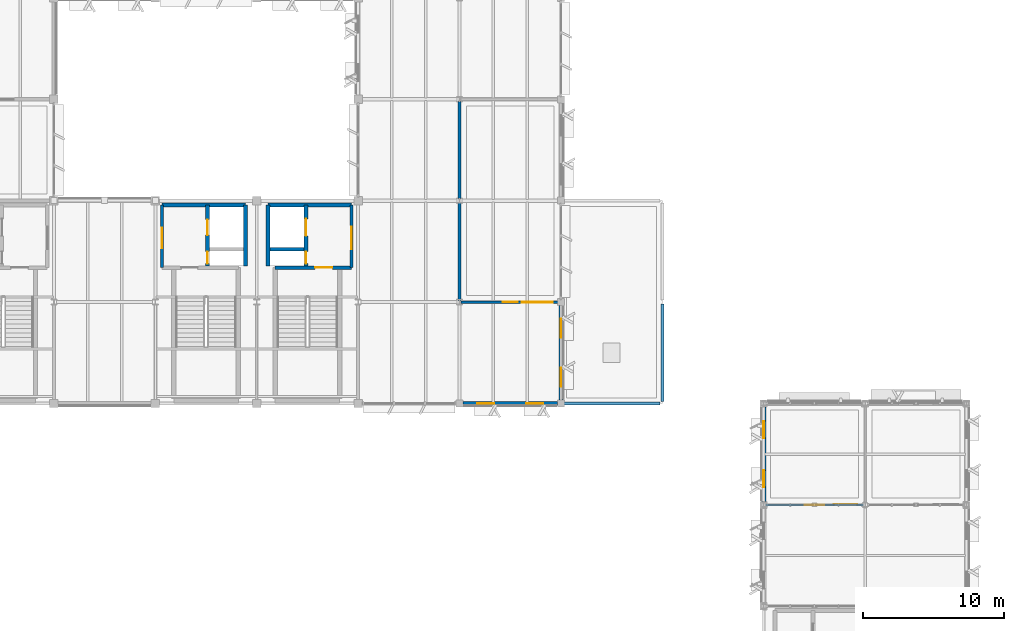
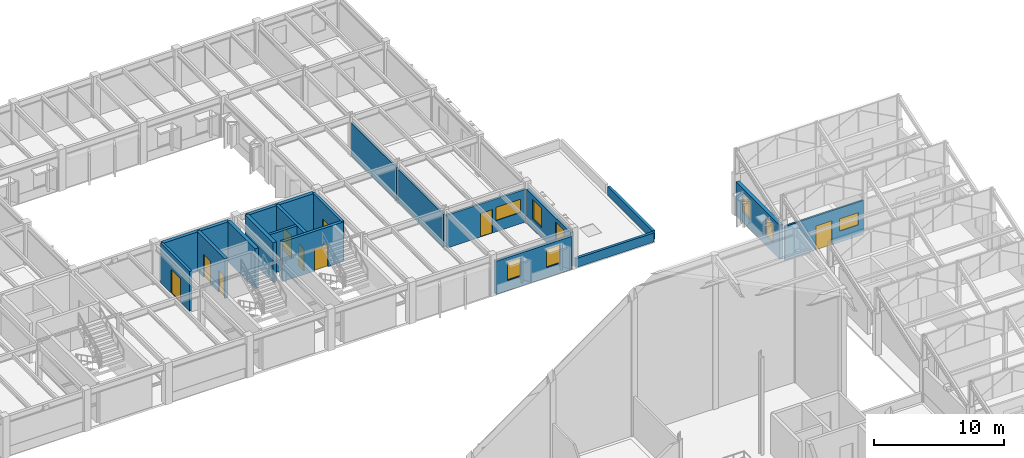
# One storey, part 39 of 82: 19 walls, 9 doors, 8 windows, 17 openings.
"""IFC4 building model written with IfcOpenShell, lengths in metres."""

from ifc_helpers import new_model, si_unit, direction, frame, frame_2d, origin, place, context, subcontext, project, spatial, rectangle, extrude, material, layer, layer_set, type_object, element, fill, save


model = new_model("IFC4")

# Units and contexts
model_context = context("Model", 3, precision=1e-05, world=origin(), true_north=direction((0.0, 1.0)))
body_context = subcontext(model_context, "Body", "Model", "MODEL_VIEW")
ifc_project = project(units=[si_unit("LENGTHUNIT", "METRE"), si_unit("AREAUNIT", "SQUARE_METRE"), si_unit("VOLUMEUNIT", "CUBIC_METRE"), si_unit("PLANEANGLEUNIT", "RADIAN"), si_unit("MASSUNIT", "GRAM", prefix="KILO")], contexts=[model_context])

# Site, building, storey
site_placement = place(None, origin())
site = spatial("IfcSite", under=ifc_project, at=site_placement, CompositionType="ELEMENT")
building_placement = place(site_placement, origin())
building = spatial("IfcBuilding", under=site, at=building_placement, Name="Sillqori Civic Hall", CompositionType="ELEMENT")
storey_placement = place(building_placement, frame((0.0, 0.0, 14.10009765625)))
storey = spatial("IfcBuildingStorey", under=building, at=storey_placement, Name="L04", CompositionType="ELEMENT", Elevation=14.10009765625)

# Wall, opening, door
ifc_material_1 = material(Name="Concrete C35/45 (H35)", Category="concrete")
ifc_layer_1 = layer(ifc_material_1, 0.219970703125)
ifc_layer_set_1 = layer_set([ifc_layer_1], Name="Concrete C35/45 (H35)")
wall_type_1 = type_object("IfcWallType", Name="CW-SHR-220", PredefinedType="SHEAR", material=ifc_layer_set_1)
wall_1_placement = place(storey_placement, frame((79.679931640625, 88.85009765625, 0.0), z_axis=(0.0, 0.0, 1.0), x_axis=(0.0, 1.0, 0.0)))
wall_1 = element("IfcWall", 1, at=wall_1_placement, inside=storey, type_object=wall_type_1, Name="L04 C7 firefighting lobby enclosure wall", PredefinedType="SHEAR", context=body_context, shape_type="SweptSolid", body=[
    extrude(rectangle(XDim=4.449951171875, YDim=0.219970703125, at=frame_2d((2.22509765625, 0.0))), origin(), (0.0, 0.0, 1.0), 3.719970703125),
])
opening_1_placement = place(wall_1_placement, frame((1.375, 0.0, 0.0)))
opening_1 = element("IfcOpeningElement", 2, at=opening_1_placement, cuts=wall_1, Name="Opening FD-03", PredefinedType="OPENING", context=body_context, shape_type="SweptSolid", body=[
    extrude(rectangle(XDim=1.449951171875, YDim=2.199951171875, at=frame_2d((0.72509765625, 1.10009765625))), frame((0.0, 0.119873046875, 0.0), z_axis=(0.0, -1.0, 0.0), x_axis=(1.0, 0.0, 0.0)), (0.0, 0.0, 1.0), 0.239990234375),
])
ifc_material_2 = material(Name="Double-Leaf Smoke-Seal Lobby Door", Category="steel")
door_type_1 = type_object("IfcDoorType", Name="FDR-LOB-145X220", OperationType="NOTDEFINED", PredefinedType="DOOR", material=ifc_material_2)
door_1_placement = place(opening_1_placement, origin())
door_1 = element("IfcDoor", 3, at=door_1_placement, inside=storey, type_object=door_type_1, Name="L04 C7 firefighting lobby exit door", OperationType="DOUBLE_DOOR_SINGLE_SWING", OverallHeight=2.199951171875, OverallWidth=1.449951171875, PredefinedType="DOOR", context=body_context, shape_type="SweptSolid", body=[
    extrude(rectangle(XDim=1.449951171875, YDim=2.199951171875, at=frame_2d((0.72509765625, 1.10009765625))), frame((0.0, 0.02490234375, 0.0), z_axis=(0.0, -1.0, 0.0), x_axis=(1.0, 0.0, 0.0)), (0.0, 0.0, 1.0), 0.050048828125),
])
fill(opening_1, door_1)

# Wall
wall_2_placement = place(storey_placement, frame((87.35009765625, 90.14990234375, 0.0), z_axis=(0.0, 0.0, 1.0), x_axis=(1.0, 0.0, 0.0)))
element("IfcWall", 4, at=wall_2_placement, inside=storey, type_object=wall_type_1, Name="L04 C8 Lift-riser divider wall", PredefinedType="SHEAR", context=body_context, shape_type="SweptSolid", body=[
    extrude(rectangle(XDim=2.39990234375, YDim=0.219970703125, at=frame_2d((1.199951171875, 0.0))), origin(), (0.0, 0.0, 1.0), 3.719970703125),
])

# Wall, opening, door
wall_3_placement = place(storey_placement, frame((93.1201171875, 93.300048828125, 0.0), z_axis=(0.0, 0.0, 1.0), x_axis=(0.0, -1.0, 0.0)))
wall_3 = element("IfcWall", 5, at=wall_3_placement, inside=storey, type_object=wall_type_1, Name="L04 C8 firefighting lobby enclosure wall", PredefinedType="SHEAR", context=body_context, shape_type="SweptSolid", body=[
    extrude(rectangle(XDim=4.449951171875, YDim=0.219970703125, at=frame_2d((2.22509765625, 0.0))), origin(), (0.0, 0.0, 1.0), 3.719970703125),
])
opening_2_placement = place(wall_3_placement, frame((1.550048828125, 0.0, 0.0)))
opening_2 = element("IfcOpeningElement", 6, at=opening_2_placement, cuts=wall_3, Name="Opening FD-04", PredefinedType="OPENING", context=body_context, shape_type="SweptSolid", body=[
    extrude(rectangle(XDim=1.60009765625, YDim=2.199951171875, at=frame_2d((0.800048828125, 1.10009765625))), frame((0.0, 0.119873046875, 0.0), z_axis=(0.0, -1.0, 0.0), x_axis=(1.0, 0.0, 0.0)), (0.0, 0.0, 1.0), 0.239990234375),
])
ifc_material_3 = material(Name="Double-Leaf Firefighting Lobby Door", Category="steel")
door_type_2 = type_object("IfcDoorType", Name="FDR-LOB-160X220", OperationType="NOTDEFINED", PredefinedType="DOOR", material=ifc_material_3)
door_2_placement = place(opening_2_placement, origin())
door_2 = element("IfcDoor", 7, at=door_2_placement, inside=storey, type_object=door_type_2, Name="L04 C8 firefighting lobby exit door", OperationType="DOUBLE_DOOR_SINGLE_SWING", OverallHeight=2.199951171875, OverallWidth=1.60009765625, PredefinedType="DOOR", context=body_context, shape_type="SweptSolid", body=[
    extrude(rectangle(XDim=1.60009765625, YDim=2.199951171875, at=frame_2d((0.800048828125, 1.10009765625))), frame((0.0, 0.02490234375, 0.0), z_axis=(0.0, -1.0, 0.0), x_axis=(1.0, 0.0, 0.0)), (0.0, 0.0, 1.0), 0.050048828125),
])
fill(opening_2, door_2)

# Wall, openings, doors
ifc_layer_2 = layer(ifc_material_1, 0.260009765625)
ifc_layer_set_2 = layer_set([ifc_layer_2], Name="Concrete C35/45 (H35)")
wall_type_2 = type_object("IfcWallType", Name="CW-SHR-260", PredefinedType="SHEAR", material=ifc_layer_set_2)
wall_4_placement = place(storey_placement, frame((82.89990234375, 88.97998046875, 0.0), z_axis=(0.0, 0.0, 1.0), x_axis=(0.0, 1.0, 0.0)))
wall_4 = element("IfcWall", 8, at=wall_4_placement, inside=storey, type_object=wall_type_2, Name="L04 C7 Lift landing & riser front wall", PredefinedType="SHEAR", context=body_context, shape_type="SweptSolid", body=[
    extrude(rectangle(XDim=4.320068359375, YDim=0.260009765625, at=frame_2d((2.16015625, 0.0))), origin(), (0.0, 0.0, 1.0), 3.719970703125),
])
opening_3_placement = place(wall_4_placement, frame((2.169921875, 0.0, 0.0)))
opening_3 = element("IfcOpeningElement", 9, at=opening_3_placement, cuts=wall_4, Name="Opening LD-01", PredefinedType="OPENING", context=body_context, shape_type="SweptSolid", body=[
    extrude(rectangle(XDim=1.10009765625, YDim=2.14990234375, at=frame_2d((0.550048828125, 1.074951171875))), frame((0.0, 0.139892578125, 0.0), z_axis=(0.0, -1.0, 0.0), x_axis=(1.0, 0.0, 0.0)), (0.0, 0.0, 1.0), 0.280029296875),
])
opening_4_placement = place(wall_4_placement, frame((0.14501953125, 0.0, 0.0)))
opening_4 = element("IfcOpeningElement", 10, at=opening_4_placement, cuts=wall_4, Name="Opening FD-05", PredefinedType="OPENING", context=body_context, shape_type="SweptSolid", body=[
    extrude(rectangle(XDim=0.85009765625, YDim=2.050048828125, at=frame_2d((0.425048828125, 1.02490234375))), frame((0.0, 0.139892578125, 0.0), z_axis=(0.0, -1.0, 0.0), x_axis=(1.0, 0.0, 0.0)), (0.0, 0.0, 1.0), 0.280029296875),
])
ifc_material_4 = material(Name="Steel Riser Access Fire Door", Category="steel")
door_type_3 = type_object("IfcDoorType", Name="FDR-RSR-085X205", OperationType="NOTDEFINED", PredefinedType="DOOR", material=ifc_material_4)
door_3_placement = place(opening_4_placement, origin())
door_3 = element("IfcDoor", 11, at=door_3_placement, inside=storey, type_object=door_type_3, Name="L04 MEP riser C7 fire access door", OperationType="SINGLE_SWING_LEFT", OverallHeight=2.050048828125, OverallWidth=0.85009765625, PredefinedType="DOOR", context=body_context, shape_type="SweptSolid", body=[
    extrude(rectangle(XDim=0.85009765625, YDim=2.050048828125, at=frame_2d((0.425048828125, 1.02490234375))), frame((0.0, 0.02490234375, 0.0), z_axis=(0.0, -1.0, 0.0), x_axis=(1.0, 0.0, 0.0)), (0.0, 0.0, 1.0), 0.050048828125),
])
fill(opening_4, door_3)
ifc_material_5 = material(Name="Stainless Steel Lift Landing Door", Category="steel")
door_type_4 = type_object("IfcDoorType", Name="LDR-PASS-110X215", OperationType="NOTDEFINED", PredefinedType="DOOR", material=ifc_material_5)
door_4_placement = place(opening_3_placement, origin())
door_4 = element("IfcDoor", 12, at=door_4_placement, inside=storey, type_object=door_type_4, Name="L04 lift LF-04 sliding landing door", OperationType="DOUBLE_DOOR_SLIDING", OverallHeight=2.14990234375, OverallWidth=1.10009765625, PredefinedType="DOOR", context=body_context, shape_type="SweptSolid", body=[
    extrude(rectangle(XDim=1.10009765625, YDim=2.14990234375, at=frame_2d((0.550048828125, 1.074951171875))), frame((0.0, 0.02490234375, 0.0), z_axis=(0.0, -1.0, 0.0), x_axis=(1.0, 0.0, 0.0)), (0.0, 0.0, 1.0), 0.050048828125),
])
fill(opening_3, door_4)

# Wall, opening, door
wall_5_placement = place(storey_placement, frame((87.7099609375, 88.85009765625, 0.0), z_axis=(0.0, 0.0, 1.0), x_axis=(1.0, 0.0, 0.0)))
wall_5 = element("IfcWall", 13, at=wall_5_placement, inside=storey, type_object=wall_type_2, Name="L04 C8 Stair-lobby fire wall", PredefinedType="SHEAR", context=body_context, shape_type="SweptSolid", body=[
    extrude(rectangle(XDim=5.41015625, YDim=0.260009765625, at=frame_2d((2.705078125, 0.0))), origin(), (0.0, 0.0, 1.0), 3.719970703125),
])
opening_5_placement = place(wall_5_placement, frame((2.840087890625, 0.0, 0.0)))
opening_5 = element("IfcOpeningElement", 14, at=opening_5_placement, cuts=wall_5, Name="Opening FD-02", PredefinedType="OPENING", context=body_context, shape_type="SweptSolid", body=[
    extrude(rectangle(XDim=1.219970703125, YDim=2.14990234375, at=frame_2d((0.60986328125, 1.074951171875))), frame((0.0, 0.139892578125, 0.0), z_axis=(0.0, -1.0, 0.0), x_axis=(1.0, 0.0, 0.0)), (0.0, 0.0, 1.0), 0.280029296875),
])
ifc_material_6 = material(Name="Galvanized Steel Fire Door FD120S", Category="steel")
door_type_5 = type_object("IfcDoorType", Name="FDR-STR-122X215", OperationType="NOTDEFINED", PredefinedType="DOOR", material=ifc_material_6)
door_5_placement = place(opening_5_placement, origin())
door_5 = element("IfcDoor", 15, at=door_5_placement, inside=storey, type_object=door_type_5, Name="L04 stair ST-08 fire door", OperationType="SINGLE_SWING_RIGHT", OverallHeight=2.14990234375, OverallWidth=1.219970703125, PredefinedType="DOOR", context=body_context, shape_type="SweptSolid", body=[
    extrude(rectangle(XDim=1.219970703125, YDim=2.14990234375, at=frame_2d((0.60986328125, 1.074951171875))), frame((0.0, 0.02490234375, 0.0), z_axis=(0.0, -1.0, 0.0), x_axis=(1.0, 0.0, 0.0)), (0.0, 0.0, 1.0), 0.050048828125),
])
fill(opening_5, door_5)

# Wall, openings, doors
wall_6_placement = place(storey_placement, frame((89.89990234375, 93.300048828125, 0.0), z_axis=(0.0, 0.0, 1.0), x_axis=(0.0, -1.0, 0.0)))
wall_6 = element("IfcWall", 16, at=wall_6_placement, inside=storey, type_object=wall_type_2, Name="L04 C8 Lift landing & riser front wall", PredefinedType="SHEAR", context=body_context, shape_type="SweptSolid", body=[
    extrude(rectangle(XDim=4.320068359375, YDim=0.260009765625, at=frame_2d((2.16015625, 0.0))), origin(), (0.0, 0.0, 1.0), 3.719970703125),
])
opening_6_placement = place(wall_6_placement, frame((1.0, 0.0, 0.0)))
opening_6 = element("IfcOpeningElement", 17, at=opening_6_placement, cuts=wall_6, Name="Opening LD-02", PredefinedType="OPENING", context=body_context, shape_type="SweptSolid", body=[
    extrude(rectangle(XDim=1.199951171875, YDim=2.14990234375, at=frame_2d((0.60009765625, 1.074951171875))), frame((0.0, 0.139892578125, 0.0), z_axis=(0.0, -1.0, 0.0), x_axis=(1.0, 0.0, 0.0)), (0.0, 0.0, 1.0), 0.280029296875),
])
opening_7_placement = place(wall_6_placement, frame((3.324951171875, 0.0, 0.0)))
opening_7 = element("IfcOpeningElement", 18, at=opening_7_placement, cuts=wall_6, Name="Opening FD-05", PredefinedType="OPENING", context=body_context, shape_type="SweptSolid", body=[
    extrude(rectangle(XDim=0.85009765625, YDim=2.050048828125, at=frame_2d((0.425048828125, 1.02490234375))), frame((0.0, 0.139892578125, 0.0), z_axis=(0.0, -1.0, 0.0), x_axis=(1.0, 0.0, 0.0)), (0.0, 0.0, 1.0), 0.280029296875),
])
door_6_placement = place(opening_7_placement, origin())
door_6 = element("IfcDoor", 19, at=door_6_placement, inside=storey, type_object=door_type_3, Name="L04 MEP riser C8 fire access door", OperationType="SINGLE_SWING_LEFT", OverallHeight=2.050048828125, OverallWidth=0.85009765625, PredefinedType="DOOR", context=body_context, shape_type="SweptSolid", body=[
    extrude(rectangle(XDim=0.85009765625, YDim=2.050048828125, at=frame_2d((0.425048828125, 1.02490234375))), frame((0.0, 0.02490234375, 0.0), z_axis=(0.0, -1.0, 0.0), x_axis=(1.0, 0.0, 0.0)), (0.0, 0.0, 1.0), 0.050048828125),
])
fill(opening_7, door_6)
ifc_material_7 = material(Name="Firefighting Lift Landing Door", Category="steel")
door_type_6 = type_object("IfcDoorType", Name="LDR-FIRE-120X215", OperationType="NOTDEFINED", PredefinedType="DOOR", material=ifc_material_7)
door_7_placement = place(opening_6_placement, origin())
door_7 = element("IfcDoor", 20, at=door_7_placement, inside=storey, type_object=door_type_6, Name="L04 lift LF-02 sliding landing door", OperationType="DOUBLE_DOOR_SLIDING", OverallHeight=2.14990234375, OverallWidth=1.199951171875, PredefinedType="DOOR", context=body_context, shape_type="SweptSolid", body=[
    extrude(rectangle(XDim=1.199951171875, YDim=2.14990234375, at=frame_2d((0.60009765625, 1.074951171875))), frame((0.0, 0.02490234375, 0.0), z_axis=(0.0, -1.0, 0.0), x_axis=(1.0, 0.0, 0.0)), (0.0, 0.0, 1.0), 0.050048828125),
])
fill(opening_6, door_7)

# Walls
ifc_layer_3 = layer(ifc_material_1, 0.300048828125)
ifc_layer_set_3 = layer_set([ifc_layer_3], Name="Concrete C35/45 (H35)")
wall_type_3 = type_object("IfcWallType", Name="CW-SHR-300", PredefinedType="SHEAR", material=ifc_layer_set_3)
wall_7_placement = place(storey_placement, frame((85.60009765625, 88.97998046875, 0.0), z_axis=(0.0, 0.0, 1.0), x_axis=(0.0, 1.0, 0.0)))
element("IfcWall", 21, at=wall_7_placement, inside=storey, type_object=wall_type_3, Name="L04 C7 Lift shaft east shear wall", PredefinedType="SHEAR", context=body_context, shape_type="SweptSolid", body=[
    extrude(rectangle(XDim=4.320068359375, YDim=0.300048828125, at=frame_2d((2.16015625, 0.0))), origin(), (0.0, 0.0, 1.0), 3.719970703125),
])
wall_8_placement = place(storey_placement, frame((79.679931640625, 93.300048828125, 0.0), z_axis=(0.0, 0.0, 1.0), x_axis=(1.0, 0.0, 0.0)))
element("IfcWall", 22, at=wall_8_placement, inside=storey, type_object=wall_type_3, Name="L04 C7 Core north shear wall", PredefinedType="SHEAR", context=body_context, shape_type="SweptSolid", body=[
    extrude(rectangle(XDim=5.920166015625, YDim=0.300048828125, at=frame_2d((2.9599609375, 0.0))), origin(), (0.0, 0.0, 1.0), 3.719970703125),
])
wall_9_placement = place(storey_placement, frame((87.199951171875, 88.97998046875, 0.0), z_axis=(0.0, 0.0, 1.0), x_axis=(0.0, 1.0, 0.0)))
element("IfcWall", 23, at=wall_9_placement, inside=storey, type_object=wall_type_3, Name="L04 C8 Lift shaft west shear wall", PredefinedType="SHEAR", context=body_context, shape_type="SweptSolid", body=[
    extrude(rectangle(XDim=4.320068359375, YDim=0.300048828125, at=frame_2d((2.16015625, 0.0))), origin(), (0.0, 0.0, 1.0), 3.719970703125),
])
wall_10_placement = place(storey_placement, frame((87.199951171875, 93.300048828125, 0.0), z_axis=(0.0, 0.0, 1.0), x_axis=(1.0, 0.0, 0.0)))
element("IfcWall", 24, at=wall_10_placement, inside=storey, type_object=wall_type_3, Name="L04 C8 Core north shear wall", PredefinedType="SHEAR", context=body_context, shape_type="SweptSolid", body=[
    extrude(rectangle(XDim=5.920166015625, YDim=0.300048828125, at=frame_2d((2.9599609375, 0.0))), origin(), (0.0, 0.0, 1.0), 3.719970703125),
])

# Wall, openings, windows
ifc_material_8 = material(Name="Precast concrete C40/50 (H40)", Category="concrete")
ifc_layer_4 = layer(ifc_material_8, 0.280029296875)
ifc_layer_set_4 = layer_set([ifc_layer_4], Name="Precast concrete C40/50 (H40)")
wall_type_4 = type_object("IfcWallType", Name="EW-LIME-280", PredefinedType="SOLIDWALL", material=ifc_layer_set_4)
wall_11_placement = place(storey_placement, frame((107.75, 79.199951171875, 0.0), z_axis=(0.0, 0.0, 1.0), x_axis=(-1.0, 0.0, 0.0)))
wall_11 = element("IfcWall", 25, at=wall_11_placement, inside=storey, type_object=wall_type_4, Name="L04 V4 exterior wall L04-14-11-S", PredefinedType="SOLIDWALL", context=body_context, shape_type="SweptSolid", body=[
    extrude(rectangle(XDim=6.699951171875, YDim=0.280029296875, at=frame_2d((3.35009765625, 0.0))), origin(), (0.0, 0.0, 1.0), 3.097900390625),
])
opening_8_placement = place(wall_11_placement, frame((1.008056640625, 0.0, 0.949951171875)))
opening_8 = element("IfcOpeningElement", 26, at=opening_8_placement, cuts=wall_11, Name="Opening W-22", PredefinedType="OPENING", context=body_context, shape_type="SweptSolid", body=[
    extrude(rectangle(XDim=1.199951171875, YDim=1.699951171875, at=frame_2d((0.60009765625, 0.85009765625))), frame((0.0, 0.14990234375, 0.0), z_axis=(0.0, -1.0, 0.0), x_axis=(1.0, 0.0, 0.0)), (0.0, 0.0, 1.0), 0.300048828125),
])
opening_9_placement = place(wall_11_placement, frame((4.491943359375, 0.0, 0.949951171875)))
opening_9 = element("IfcOpeningElement", 27, at=opening_9_placement, cuts=wall_11, Name="Opening W-22", PredefinedType="OPENING", context=body_context, shape_type="SweptSolid", body=[
    extrude(rectangle(XDim=1.199951171875, YDim=1.699951171875, at=frame_2d((0.60009765625, 0.85009765625))), frame((0.0, 0.14990234375, 0.0), z_axis=(0.0, -1.0, 0.0), x_axis=(1.0, 0.0, 0.0)), (0.0, 0.0, 1.0), 0.300048828125),
])
ifc_material_9 = material(Name="Thermally Broken Aluminium Low-E Window", Category="aluminium")
window_type_1 = type_object("IfcWindowType", Name="WIN-V5-120X170", PartitioningType="SINGLE_PANEL", PredefinedType="WINDOW", material=ifc_material_9)
window_1_placement = place(opening_8_placement, origin())
window_1 = element("IfcWindow", 28, at=window_1_placement, inside=storey, type_object=window_type_1, Name="L04 V4 window L04-14-11-S.1", OverallHeight=1.699951171875, OverallWidth=1.199951171875, PartitioningType="SINGLE_PANEL", PredefinedType="WINDOW", context=body_context, shape_type="SweptSolid", body=[
    extrude(rectangle(XDim=1.199951171875, YDim=1.699951171875, at=frame_2d((0.60009765625, 0.85009765625))), frame((0.0, 0.030029296875, 0.0), z_axis=(0.0, -1.0, 0.0), x_axis=(1.0, 0.0, 0.0)), (0.0, 0.0, 1.0), 0.06005859375),
])
fill(opening_8, window_1)
window_2_placement = place(opening_9_placement, origin())
window_2 = element("IfcWindow", 29, at=window_2_placement, inside=storey, type_object=window_type_1, Name="L04 V4 window L04-14-11-S.2", OverallHeight=1.699951171875, OverallWidth=1.199951171875, PartitioningType="SINGLE_PANEL", PredefinedType="WINDOW", context=body_context, shape_type="SweptSolid", body=[
    extrude(rectangle(XDim=1.199951171875, YDim=1.699951171875, at=frame_2d((0.60009765625, 0.85009765625))), frame((0.0, 0.030029296875, 0.0), z_axis=(0.0, -1.0, 0.0), x_axis=(1.0, 0.0, 0.0)), (0.0, 0.0, 1.0), 0.06005859375),
])
fill(opening_9, window_2)

wall_12_placement = place(storey_placement, frame((108.0, 86.14990234375, 0.0), z_axis=(0.0, 0.0, 1.0), x_axis=(0.0, -1.0, 0.0)))
wall_12 = element("IfcWall", 30, at=wall_12_placement, inside=storey, type_object=wall_type_4, Name="L04 V4 exterior wall L04-14-11-E", PredefinedType="SOLIDWALL", context=body_context, shape_type="SweptSolid", body=[
    extrude(rectangle(XDim=6.699951171875, YDim=0.280029296875, at=frame_2d((3.35009765625, 0.0))), origin(), (0.0, 0.0, 1.0), 3.171875),
])
opening_10_placement = place(wall_12_placement, frame((0.93310546875, 0.0, 0.949951171875)))
opening_10 = element("IfcOpeningElement", 31, at=opening_10_placement, cuts=wall_12, Name="Opening W-42", PredefinedType="OPENING", context=body_context, shape_type="SweptSolid", body=[
    extrude(rectangle(XDim=1.35009765625, YDim=1.85009765625, at=frame_2d((0.675048828125, 0.925048828125))), frame((0.0, 0.14990234375, 0.0), z_axis=(0.0, -1.0, 0.0), x_axis=(1.0, 0.0, 0.0)), (0.0, 0.0, 1.0), 0.300048828125),
])
opening_11_placement = place(wall_12_placement, frame((4.4169921875, 0.0, 0.949951171875)))
opening_11 = element("IfcOpeningElement", 32, at=opening_11_placement, cuts=wall_12, Name="Opening W-42", PredefinedType="OPENING", context=body_context, shape_type="SweptSolid", body=[
    extrude(rectangle(XDim=1.35009765625, YDim=1.85009765625, at=frame_2d((0.675048828125, 0.925048828125))), frame((0.0, 0.14990234375, 0.0), z_axis=(0.0, -1.0, 0.0), x_axis=(1.0, 0.0, 0.0)), (0.0, 0.0, 1.0), 0.300048828125),
])
window_type_2 = type_object("IfcWindowType", Name="WIN-GD-135X185", PartitioningType="SINGLE_PANEL", PredefinedType="WINDOW", material=ifc_material_9)
window_3_placement = place(opening_10_placement, origin())
window_3 = element("IfcWindow", 33, at=window_3_placement, inside=storey, type_object=window_type_2, Name="L04 V4 window L04-14-11-E.1", OverallHeight=1.85009765625, OverallWidth=1.35009765625, PartitioningType="SINGLE_PANEL", PredefinedType="WINDOW", context=body_context, shape_type="SweptSolid", body=[
    extrude(rectangle(XDim=1.35009765625, YDim=1.85009765625, at=frame_2d((0.675048828125, 0.925048828125))), frame((0.0, 0.030029296875, 0.0), z_axis=(0.0, -1.0, 0.0), x_axis=(1.0, 0.0, 0.0)), (0.0, 0.0, 1.0), 0.06005859375),
])
fill(opening_10, window_3)
window_4_placement = place(opening_11_placement, origin())
window_4 = element("IfcWindow", 34, at=window_4_placement, inside=storey, type_object=window_type_2, Name="L04 V4 window L04-14-11-E.2", OverallHeight=1.85009765625, OverallWidth=1.35009765625, PartitioningType="SINGLE_PANEL", PredefinedType="WINDOW", context=body_context, shape_type="SweptSolid", body=[
    extrude(rectangle(XDim=1.35009765625, YDim=1.85009765625, at=frame_2d((0.675048828125, 0.925048828125))), frame((0.0, 0.030029296875, 0.0), z_axis=(0.0, -1.0, 0.0), x_axis=(1.0, 0.0, 0.0)), (0.0, 0.0, 1.0), 0.06005859375),
])
fill(opening_11, window_4)

ifc_layer_5 = layer(ifc_material_8, 0.300048828125)
ifc_layer_set_5 = layer_set([ifc_layer_5], Name="Precast concrete C40/50 (H40)")
wall_type_5 = type_object("IfcWallType", Name="EW-LIME-300", PredefinedType="SOLIDWALL", material=ifc_layer_set_5)
wall_13_placement = place(storey_placement, frame((122.39990234375, 72.25, 0.0), z_axis=(0.0, 0.0, 1.0), x_axis=(0.0, 1.0, 0.0)))
wall_13 = element("IfcWall", 35, at=wall_13_placement, inside=storey, type_object=wall_type_5, Name="L04 V3 exterior wall L04-17-10-W", PredefinedType="SOLIDWALL", context=body_context, shape_type="SweptSolid", body=[
    extrude(rectangle(XDim=6.699951171875, YDim=0.300048828125, at=frame_2d((3.35009765625, 0.0))), origin(), (0.0, 0.0, 1.0), 3.199951171875),
])
opening_12_placement = place(wall_13_placement, frame((1.008056640625, 0.0, 0.949951171875)))
opening_12 = element("IfcOpeningElement", 36, at=opening_12_placement, cuts=wall_13, Name="Opening W-22", PredefinedType="OPENING", context=body_context, shape_type="SweptSolid", body=[
    extrude(rectangle(XDim=1.199951171875, YDim=1.699951171875, at=frame_2d((0.60009765625, 0.85009765625))), frame((0.0, 0.159912109375, 0.0), z_axis=(0.0, -1.0, 0.0), x_axis=(1.0, 0.0, 0.0)), (0.0, 0.0, 1.0), 0.320068359375),
])
opening_13_placement = place(wall_13_placement, frame((4.491943359375, 0.0, 0.949951171875)))
opening_13 = element("IfcOpeningElement", 37, at=opening_13_placement, cuts=wall_13, Name="Opening W-22", PredefinedType="OPENING", context=body_context, shape_type="SweptSolid", body=[
    extrude(rectangle(XDim=1.199951171875, YDim=1.699951171875, at=frame_2d((0.60009765625, 0.85009765625))), frame((0.0, 0.159912109375, 0.0), z_axis=(0.0, -1.0, 0.0), x_axis=(1.0, 0.0, 0.0)), (0.0, 0.0, 1.0), 0.320068359375),
])
window_5_placement = place(opening_12_placement, origin())
window_5 = element("IfcWindow", 38, at=window_5_placement, inside=storey, type_object=window_type_1, Name="L04 V3 window L04-17-10-W.1", OverallHeight=1.699951171875, OverallWidth=1.199951171875, PartitioningType="SINGLE_PANEL", PredefinedType="WINDOW", context=body_context, shape_type="SweptSolid", body=[
    extrude(rectangle(XDim=1.199951171875, YDim=1.699951171875, at=frame_2d((0.60009765625, 0.85009765625))), frame((0.0, 0.030029296875, 0.0), z_axis=(0.0, -1.0, 0.0), x_axis=(1.0, 0.0, 0.0)), (0.0, 0.0, 1.0), 0.06005859375),
])
fill(opening_12, window_5)
window_6_placement = place(opening_13_placement, origin())
window_6 = element("IfcWindow", 39, at=window_6_placement, inside=storey, type_object=window_type_1, Name="L04 V3 window L04-17-10-W.2", OverallHeight=1.699951171875, OverallWidth=1.199951171875, PartitioningType="SINGLE_PANEL", PredefinedType="WINDOW", context=body_context, shape_type="SweptSolid", body=[
    extrude(rectangle(XDim=1.199951171875, YDim=1.699951171875, at=frame_2d((0.60009765625, 0.85009765625))), frame((0.0, 0.030029296875, 0.0), z_axis=(0.0, -1.0, 0.0), x_axis=(1.0, 0.0, 0.0)), (0.0, 0.0, 1.0), 0.06005859375),
])
fill(opening_13, window_6)

# Wall, openings, door, window
ifc_material_10 = material(Name="Corridor Fire-Rated Partition 150", Category="gypsum")
ifc_layer_6 = layer(ifc_material_10, 0.14990234375)
ifc_layer_set_6 = layer_set([ifc_layer_6], Name="Corridor Fire-Rated Partition 150")
wall_type_6 = type_object("IfcWallType", Name="PT-GYP-150", PredefinedType="PARTITIONING", material=ifc_layer_set_6)
wall_14_placement = place(storey_placement, frame((129.47998046875, 72.0, 0.0), z_axis=(0.0, 0.0, 1.0), x_axis=(-1.0, 0.0, 0.0)))
wall_14 = element("IfcWall", 40, at=wall_14_placement, inside=storey, type_object=wall_type_6, Name="Constitutional Law Open Book Stacks partition S1", PredefinedType="PARTITIONING", context=body_context, shape_type="SweptSolid", body=[
    extrude(rectangle(XDim=6.9599609375, YDim=0.14990234375, at=frame_2d((3.47998046875, 0.0))), origin(), (0.0, 0.0, 1.0), 3.18994140625),
])
opening_14_placement = place(wall_14_placement, frame((2.780029296875, 0.0, 0.0)))
opening_14 = element("IfcOpeningElement", 41, at=opening_14_placement, cuts=wall_14, Name="Opening ID-10", PredefinedType="OPENING", context=body_context, shape_type="SweptSolid", body=[
    extrude(rectangle(XDim=1.39990234375, YDim=2.25, at=frame_2d((0.699951171875, 1.125))), frame((0.0, 0.0849609375, 0.0), z_axis=(0.0, -1.0, 0.0), x_axis=(1.0, 0.0, 0.0)), (0.0, 0.0, 1.0), 0.169921875),
])
opening_15_placement = place(wall_14_placement, frame((0.449951171875, 0.0, 1.050048828125)))
opening_15 = element("IfcOpeningElement", 42, at=opening_15_placement, cuts=wall_14, Name="Opening IW-12", PredefinedType="OPENING", context=body_context, shape_type="SweptSolid", body=[
    extrude(rectangle(XDim=1.64990234375, YDim=1.14990234375, at=frame_2d((0.824951171875, 0.574951171875))), frame((0.0, 0.0849609375, 0.0), z_axis=(0.0, -1.0, 0.0), x_axis=(1.0, 0.0, 0.0)), (0.0, 0.0, 1.0), 0.169921875),
])
ifc_material_11 = material(Name="Open Stacks Double Leaf Fire Door", Category="timber")
door_type_7 = type_object("IfcDoorType", Name="IDR-STK-140X225", OperationType="NOTDEFINED", PredefinedType="DOOR", material=ifc_material_11)
door_8_placement = place(opening_14_placement, origin())
door_8 = element("IfcDoor", 43, at=door_8_placement, inside=storey, type_object=door_type_7, Name="Constitutional Law Open Book Stacks entrance door", OperationType="DOUBLE_DOOR_SINGLE_SWING", OverallHeight=2.25, OverallWidth=1.39990234375, PredefinedType="DOOR", context=body_context, shape_type="SweptSolid", body=[
    extrude(rectangle(XDim=1.39990234375, YDim=2.25, at=frame_2d((0.699951171875, 1.125))), frame((0.0, 0.02490234375, 0.0), z_axis=(0.0, -1.0, 0.0), x_axis=(1.0, 0.0, 0.0)), (0.0, 0.0, 1.0), 0.050048828125),
])
fill(opening_14, door_8)
ifc_material_12 = material(Name="Acoustic Laminated Interior Clerestory Glazing", Category="glass")
window_type_3 = type_object("IfcWindowType", Name="IWN-STU-165X115", PartitioningType="SINGLE_PANEL", PredefinedType="WINDOW", material=ifc_material_12)
window_7_placement = place(opening_15_placement, origin())
window_7 = element("IfcWindow", 44, at=window_7_placement, inside=storey, type_object=window_type_3, Name="Constitutional Law Open Book Stacks borrowed-light screen", OverallHeight=1.14990234375, OverallWidth=1.64990234375, PartitioningType="SINGLE_PANEL", PredefinedType="WINDOW", context=body_context, shape_type="SweptSolid", body=[
    extrude(rectangle(XDim=1.64990234375, YDim=1.14990234375, at=frame_2d((0.824951171875, 0.574951171875))), frame((0.0, 0.030029296875, 0.0), z_axis=(0.0, -1.0, 0.0), x_axis=(1.0, 0.0, 0.0)), (0.0, 0.0, 1.0), 0.06005859375),
])
fill(opening_15, window_7)

ifc_material_13 = material(Name="Concrete C25/30 (H25)", Category="concrete")
ifc_layer_7 = layer(ifc_material_13, 0.18505859375)
ifc_layer_set_7 = layer_set([ifc_layer_7], Name="Concrete C25/30 (H25)")
wall_type_7 = type_object("IfcWallType", Name="PT-MAS-185", PredefinedType="PARTITIONING", material=ifc_layer_set_7)
wall_15_placement = place(storey_placement, frame((107.8798828125, 86.39990234375, 0.0), z_axis=(0.0, 0.0, 1.0), x_axis=(-1.0, 0.0, 0.0)))
wall_15 = element("IfcWall", 45, at=wall_15_placement, inside=storey, type_object=wall_type_7, Name="Municipal Treasury and Finance Directorate L04-05 partition S1", PredefinedType="PARTITIONING", context=body_context, shape_type="SweptSolid", body=[
    extrude(rectangle(XDim=6.9599609375, YDim=0.18505859375, at=frame_2d((3.47998046875, 0.0))), origin(), (0.0, 0.0, 1.0), 3.087890625),
])
opening_16_placement = place(wall_15_placement, frame((2.93994140625, 0.0, 0.0)))
opening_16 = element("IfcOpeningElement", 46, at=opening_16_placement, cuts=wall_15, Name="Opening ID-16", PredefinedType="OPENING", context=body_context, shape_type="SweptSolid", body=[
    extrude(rectangle(XDim=1.080078125, YDim=2.199951171875, at=frame_2d((0.5400390625, 1.10009765625))), frame((0.0, 0.1025390625, 0.0), z_axis=(0.0, -1.0, 0.0), x_axis=(1.0, 0.0, 0.0)), (0.0, 0.0, 1.0), 0.205078125),
])
opening_17_placement = place(wall_15_placement, frame((0.449951171875, 0.0, 1.050048828125)))
opening_17 = element("IfcOpeningElement", 47, at=opening_17_placement, cuts=wall_15, Name="Opening IW-06", PredefinedType="OPENING", context=body_context, shape_type="SweptSolid", body=[
    extrude(rectangle(XDim=2.199951171875, YDim=1.25, at=frame_2d((1.10009765625, 0.625))), frame((0.0, 0.1025390625, 0.0), z_axis=(0.0, -1.0, 0.0), x_axis=(1.0, 0.0, 0.0)), (0.0, 0.0, 1.0), 0.205078125),
])
ifc_material_14 = material(Name="Senior Counsel Office Door 1080", Category="timber")
door_type_8 = type_object("IfcDoorType", Name="IDR-OFF-108X220", OperationType="NOTDEFINED", PredefinedType="DOOR", material=ifc_material_14)
door_9_placement = place(opening_16_placement, origin())
door_9 = element("IfcDoor", 48, at=door_9_placement, inside=storey, type_object=door_type_8, Name="Municipal Treasury and Finance Directorate L04-05 entrance door", OperationType="SINGLE_SWING_LEFT", OverallHeight=2.199951171875, OverallWidth=1.080078125, PredefinedType="DOOR", context=body_context, shape_type="SweptSolid", body=[
    extrude(rectangle(XDim=1.080078125, YDim=2.199951171875, at=frame_2d((0.5400390625, 1.10009765625))), frame((0.0, 0.02490234375, 0.0), z_axis=(0.0, -1.0, 0.0), x_axis=(1.0, 0.0, 0.0)), (0.0, 0.0, 1.0), 0.050048828125),
])
fill(opening_16, door_9)
window_type_4 = type_object("IfcWindowType", Name="IWN-TRN-220X125", PartitioningType="SINGLE_PANEL", PredefinedType="WINDOW", material=ifc_material_12)
window_8_placement = place(opening_17_placement, origin())
window_8 = element("IfcWindow", 49, at=window_8_placement, inside=storey, type_object=window_type_4, Name="Municipal Treasury and Finance Directorate L04-05 borrowed-light screen", OverallHeight=1.25, OverallWidth=2.199951171875, PartitioningType="SINGLE_PANEL", PredefinedType="WINDOW", context=body_context, shape_type="SweptSolid", body=[
    extrude(rectangle(XDim=2.199951171875, YDim=1.25, at=frame_2d((1.10009765625, 0.625))), frame((0.0, 0.030029296875, 0.0), z_axis=(0.0, -1.0, 0.0), x_axis=(1.0, 0.0, 0.0)), (0.0, 0.0, 1.0), 0.06005859375),
])
fill(opening_17, window_8)

# Walls
for number, where, z_axis, x_axis, name in (
    (50, (100.800048828125, 86.52001953125, 0.0), (0.0, 0.0, 1.0), (0.0, 1.0, 0.0), "Municipal Treasury and Finance Directorate L04-05 partition W3"),
    (51, (100.800048828125, 93.719970703125, 0.0), (0.0, 0.0, 1.0), (0.0, 1.0, 0.0), "Municipal Treasury and Finance Directorate L04-05 partition W4"),
):
    element("IfcWall", number, at=place(storey_placement, frame(where, z_axis=z_axis, x_axis=x_axis)), inside=storey, type_object=wall_type_7, Name=name, PredefinedType="PARTITIONING", context=body_context, shape_type="SweptSolid", body=[
        extrude(rectangle(XDim=6.9599609375, YDim=0.18505859375, at=frame_2d((3.47998046875, 0.0))), origin(), (0.0, 0.0, 1.0), 3.087890625),
    ])
ifc_layer_8 = layer(ifc_material_8, 0.219970703125)
ifc_layer_set_8 = layer_set([ifc_layer_8], Name="Precast concrete C40/50 (H40)")
wall_type_8 = type_object("IfcWallType", Name="WP-PAR-220", PredefinedType="PARAPET", material=ifc_layer_set_8)
wall_16_placement = place(storey_placement, frame((115.199951171875, 86.25, 0.0), z_axis=(0.0, 0.0, 1.0), x_axis=(0.0, -1.0, 0.0)))
element("IfcWall", 52, at=wall_16_placement, inside=storey, type_object=wall_type_8, Name="L04 roof parapet 01", PredefinedType="PARAPET", context=body_context, shape_type="SweptSolid", body=[
    extrude(rectangle(XDim=6.89990234375, YDim=0.219970703125, at=frame_2d((3.449951171875, 0.0))), origin(), (0.0, 0.0, 1.0), 0.849853515625),
])
wall_17_placement = place(storey_placement, frame((115.050048828125, 79.199951171875, 0.0), z_axis=(0.0, 0.0, 1.0), x_axis=(-1.0, 0.0, 0.0)))
element("IfcWall", 53, at=wall_17_placement, inside=storey, type_object=wall_type_8, Name="L04 roof parapet 02", PredefinedType="PARAPET", context=body_context, shape_type="SweptSolid", body=[
    extrude(rectangle(XDim=6.900146484375, YDim=0.219970703125, at=frame_2d((3.4501953125, 0.0))), origin(), (0.0, 0.0, 1.0), 0.849853515625),
])

save(model, "model.ifc")
